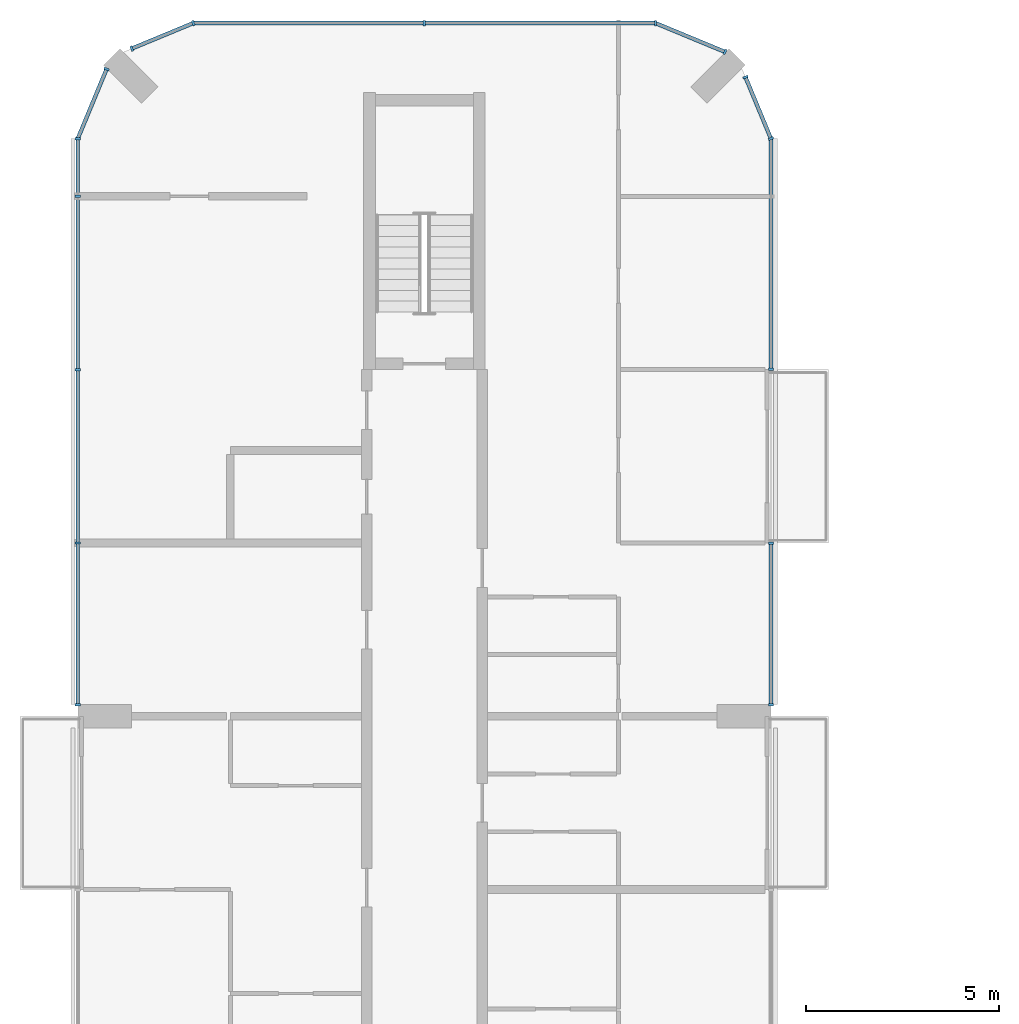
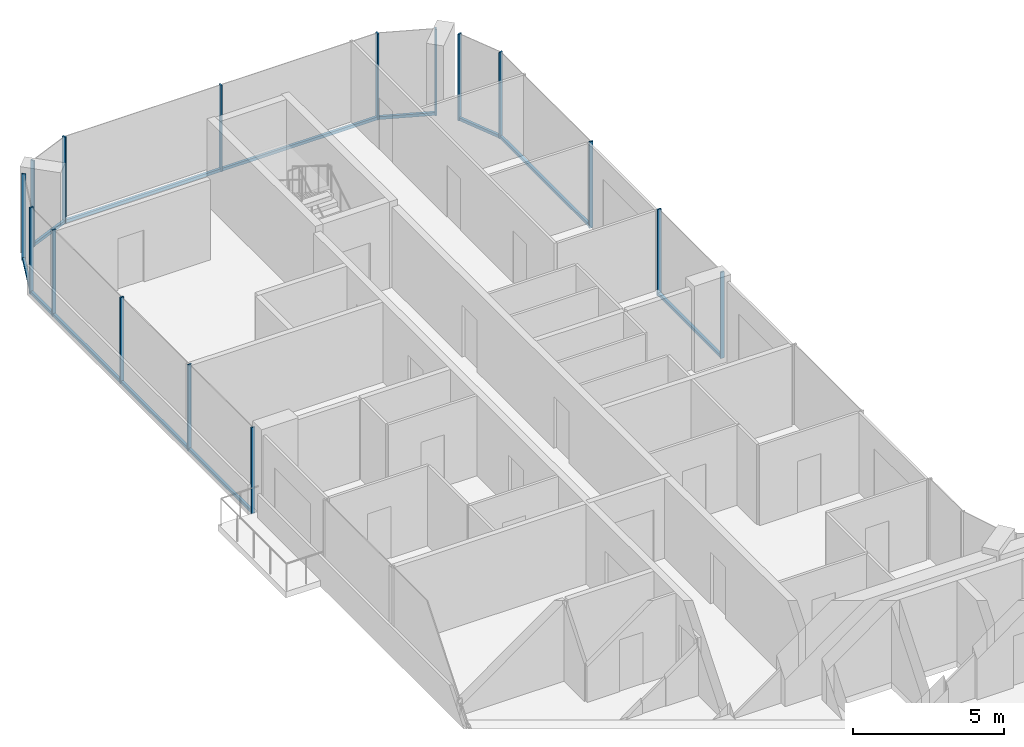
# One storey, part 7 of 15: 24 members, 8 elements without a shape of their own.
"""IFC4 building model written with IfcOpenShell, lengths in metres."""

from ifc_helpers import new_model, si_unit, direction, frame, origin, origin_2d, place, context, subcontext, project, spatial, rectangle, extrude, material, layer, layer_set, material_profile, profile_set, type_object, element, aggregate, save


model = new_model("IFC4")

# Units and contexts
model_context = context("Model", 3, precision=1e-05, world=origin(), true_north=direction((0.0, 1.0)))
body_context = subcontext(model_context, "Body", "Model", "MODEL_VIEW")
ifc_project = project(units=[si_unit("LENGTHUNIT", "METRE"), si_unit("AREAUNIT", "SQUARE_METRE"), si_unit("VOLUMEUNIT", "CUBIC_METRE"), si_unit("PLANEANGLEUNIT", "RADIAN"), si_unit("MASSUNIT", "GRAM", prefix="KILO")], contexts=[model_context])

# Site, building, storey
site_placement = place(None, origin())
site = spatial("IfcSite", under=ifc_project, at=site_placement, CompositionType="ELEMENT")
building_placement = place(site_placement, origin())
building = spatial("IfcBuilding", under=site, at=building_placement, Name="Plateau Cross Towers", CompositionType="ELEMENT")
storey_placement = place(building_placement, frame((0.0, 0.0, 208.39990234375)))
storey = spatial("IfcBuildingStorey", under=building, at=storey_placement, Name="L54", CompositionType="ELEMENT", Elevation=208.39990234375)

# Curtain wall, members
ifc_material_1 = material(Name="Dark low-iron glass", Category="glass")
ifc_layer = layer(ifc_material_1, 0.239990234375)
ifc_layer_set = layer_set([ifc_layer], Name="Dark low-iron glass")
curtain_wall_type = type_object("IfcCurtainWallType", Name="Curtain wall flush unitised CW-B", PredefinedType="NOTDEFINED", material=ifc_layer_set)
curtain_wall_1_placement = place(storey_placement, origin())
curtain_wall_1 = element("IfcCurtainWall", 1, at=curtain_wall_1_placement, inside=storey, type_object=curtain_wall_type, Name="ENV/A/L54/A180_363", PredefinedType="NOTDEFINED")
ifc_material_2 = material(Name="Black anodised aluminium", Category="aluminium")
ifc_material_profile_1 = material_profile(ifc_material_2, rectangle(XDim=0.06005859375, YDim=0.139892578125, at=origin_2d()), Name="MULLION 60x140")
ifc_profile_set_1 = profile_set([ifc_material_profile_1], Name="Black anodised aluminium")
member_type_1 = type_object("IfcMemberType", Name="Mullion 60x140 flush unitised", PredefinedType="MULLION", material=ifc_profile_set_1)
member_1_placement = place(storey_placement, frame((18.0, 36.300048828125, -0.25), z_axis=(0.0, 0.0, 1.0), x_axis=(0.0, 1.0, 0.0)))
member_1 = element("IfcMember", 2, at=member_1_placement, type_object=member_type_1, Name="CW-B mullion 1", PredefinedType="MULLION", context=body_context, shape_type="SweptSolid", body=[
    extrude(rectangle(XDim=0.06005859375, YDim=0.139892578125, at=origin_2d()), origin(), (0.0, 0.0, 1.0), 3.5),
])
member_2_placement = place(storey_placement, frame((18.0, 40.489990234375, -0.25), z_axis=(0.0, 0.0, 1.0), x_axis=(0.0, 1.0, 0.0)))
member_2 = element("IfcMember", 3, at=member_2_placement, type_object=member_type_1, Name="CW-B mullion 2", PredefinedType="MULLION", context=body_context, shape_type="SweptSolid", body=[
    extrude(rectangle(XDim=0.06005859375, YDim=0.139892578125, at=origin_2d()), origin(), (0.0, 0.0, 1.0), 3.5),
])

# Curtain wall, member
curtain_wall_2_placement = place(storey_placement, origin())
curtain_wall_2 = element("IfcCurtainWall", 4, at=curtain_wall_2_placement, inside=storey, type_object=curtain_wall_type, Name="ENV/A/L54/A180_450", PredefinedType="NOTDEFINED")
member_3_placement = place(storey_placement, frame((18.0, 45.010009765625, -0.25), z_axis=(0.0, 0.0, 1.0), x_axis=(0.0, 1.0, 0.0)))
member_3 = element("IfcMember", 5, at=member_3_placement, type_object=member_type_1, Name="CW-B mullion 1", PredefinedType="MULLION", context=body_context, shape_type="SweptSolid", body=[
    extrude(rectangle(XDim=0.06005859375, YDim=0.139892578125, at=origin_2d()), origin(), (0.0, 0.0, 1.0), 3.5),
])

# Curtain wall, members
curtain_wall_3_placement = place(storey_placement, origin())
curtain_wall_3 = element("IfcCurtainWall", 6, at=curtain_wall_3_placement, inside=storey, type_object=curtain_wall_type, Name="ENV/A/L54/A180_510", PredefinedType="NOTDEFINED")
member_4_placement = place(storey_placement, frame((18.0, 51.0, -0.25), z_axis=(0.0, 0.0, 1.0), x_axis=(-0.382683612978, 0.923879457699, 0.0)))
member_4 = element("IfcMember", 7, at=member_4_placement, type_object=member_type_1, Name="CW-B mullion 1", PredefinedType="MULLION", context=body_context, shape_type="SweptSolid", body=[
    extrude(rectangle(XDim=0.06005859375, YDim=0.139892578125, at=origin_2d()), origin(), (0.0, 0.0, 1.0), 3.5),
])
member_5_placement = place(storey_placement, frame((17.338623046875, 52.5966796875, -0.25), z_axis=(0.0, 0.0, 1.0), x_axis=(-0.382683612978, 0.923879457699, 0.0)))
member_5 = element("IfcMember", 8, at=member_5_placement, type_object=member_type_1, Name="CW-B mullion 2", PredefinedType="MULLION", context=body_context, shape_type="SweptSolid", body=[
    extrude(rectangle(XDim=0.06005859375, YDim=0.139892578125, at=origin_2d()), origin(), (0.0, 0.0, 1.0), 3.5),
])

# Curtain wall, member
curtain_wall_4_placement = place(storey_placement, origin())
curtain_wall_4 = element("IfcCurtainWall", 9, at=curtain_wall_4_placement, inside=storey, type_object=curtain_wall_type, Name="ENV/A/L54/A168_533", PredefinedType="NOTDEFINED")
member_6_placement = place(storey_placement, frame((16.805908203125, 53.251953125, -0.25), z_axis=(0.0, 0.0, 1.0), x_axis=(-0.923879457699, 0.382683612978, 0.0)))
member_6 = element("IfcMember", 10, at=member_6_placement, type_object=member_type_1, Name="CW-B mullion 1", PredefinedType="MULLION", context=body_context, shape_type="SweptSolid", body=[
    extrude(rectangle(XDim=0.06005859375, YDim=0.139892578125, at=origin_2d()), origin(), (0.0, 0.0, 1.0), 3.5),
])

# Curtain wall, members
curtain_wall_5_placement = place(storey_placement, origin())
curtain_wall_5 = element("IfcCurtainWall", 11, at=curtain_wall_5_placement, inside=storey, type_object=curtain_wall_type, Name="ENV/A/L54/A150_540", PredefinedType="NOTDEFINED")
member_7_placement = place(storey_placement, frame((15.0, 54.0, -0.25), z_axis=(0.0, 0.0, 1.0), x_axis=(-1.0, 0.0, 0.0)))
member_7 = element("IfcMember", 12, at=member_7_placement, type_object=member_type_1, Name="CW-B mullion 1", PredefinedType="MULLION", context=body_context, shape_type="SweptSolid", body=[
    extrude(rectangle(XDim=0.06005859375, YDim=0.139892578125, at=origin_2d()), origin(), (0.0, 0.0, 1.0), 3.5),
])
member_8_placement = place(storey_placement, frame((9.0, 54.0, -0.25), z_axis=(0.0, 0.0, 1.0), x_axis=(-1.0, 0.0, 0.0)))
member_8 = element("IfcMember", 13, at=member_8_placement, type_object=member_type_1, Name="CW-B mullion 2", PredefinedType="MULLION", context=body_context, shape_type="SweptSolid", body=[
    extrude(rectangle(XDim=0.06005859375, YDim=0.139892578125, at=origin_2d()), origin(), (0.0, 0.0, 1.0), 3.5),
])

curtain_wall_6_placement = place(storey_placement, origin())
curtain_wall_6 = element("IfcCurtainWall", 14, at=curtain_wall_6_placement, inside=storey, type_object=curtain_wall_type, Name="ENV/A/L54/A30_540", PredefinedType="NOTDEFINED")
member_9_placement = place(storey_placement, frame((3.0, 54.0, -0.25), z_axis=(0.0, 0.0, 1.0), x_axis=(-0.923879457699, -0.382683612978, 0.0)))
member_9 = element("IfcMember", 15, at=member_9_placement, type_object=member_type_1, Name="CW-B mullion 1", PredefinedType="MULLION", context=body_context, shape_type="SweptSolid", body=[
    extrude(rectangle(XDim=0.06005859375, YDim=0.139892578125, at=origin_2d()), origin(), (0.0, 0.0, 1.0), 3.5),
])
member_10_placement = place(storey_placement, frame((1.4033203125, 53.338623046875, -0.25), z_axis=(0.0, 0.0, 1.0), x_axis=(-0.923879457699, -0.382683612978, 0.0)))
member_10 = element("IfcMember", 16, at=member_10_placement, type_object=member_type_1, Name="CW-B mullion 2", PredefinedType="MULLION", context=body_context, shape_type="SweptSolid", body=[
    extrude(rectangle(XDim=0.06005859375, YDim=0.139892578125, at=origin_2d()), origin(), (0.0, 0.0, 1.0), 3.5),
])

# Curtain wall, member
curtain_wall_7_placement = place(storey_placement, origin())
curtain_wall_7 = element("IfcCurtainWall", 17, at=curtain_wall_7_placement, inside=storey, type_object=curtain_wall_type, Name="ENV/A/L54/A7_528", PredefinedType="NOTDEFINED")
member_11_placement = place(storey_placement, frame((0.748046875, 52.805908203125, -0.25), z_axis=(0.0, 0.0, 1.0), x_axis=(-0.382683612978, -0.923879457699, 0.0)))
member_11 = element("IfcMember", 18, at=member_11_placement, type_object=member_type_1, Name="CW-B mullion 1", PredefinedType="MULLION", context=body_context, shape_type="SweptSolid", body=[
    extrude(rectangle(XDim=0.06005859375, YDim=0.139892578125, at=origin_2d()), origin(), (0.0, 0.0, 1.0), 3.5),
])

# Curtain wall, members
curtain_wall_8_placement = place(storey_placement, origin())
curtain_wall_8 = element("IfcCurtainWall", 19, at=curtain_wall_8_placement, inside=storey, type_object=curtain_wall_type, Name="ENV/A/L54/A0_510", PredefinedType="NOTDEFINED")
member_12_placement = place(storey_placement, frame((0.0, 51.0, -0.25), z_axis=(0.0, 0.0, 1.0), x_axis=(0.0, -1.0, 0.0)))
member_12 = element("IfcMember", 20, at=member_12_placement, type_object=member_type_1, Name="CW-B mullion 1", PredefinedType="MULLION", context=body_context, shape_type="SweptSolid", body=[
    extrude(rectangle(XDim=0.06005859375, YDim=0.139892578125, at=origin_2d()), origin(), (0.0, 0.0, 1.0), 3.5),
])
member_13_placement = place(storey_placement, frame((0.0, 49.5, -0.25), z_axis=(0.0, 0.0, 1.0), x_axis=(0.0, -1.0, 0.0)))
member_13 = element("IfcMember", 21, at=member_13_placement, type_object=member_type_1, Name="CW-B mullion 2", PredefinedType="MULLION", context=body_context, shape_type="SweptSolid", body=[
    extrude(rectangle(XDim=0.06005859375, YDim=0.139892578125, at=origin_2d()), origin(), (0.0, 0.0, 1.0), 3.5),
])
member_14_placement = place(storey_placement, frame((0.0, 45.0, -0.25), z_axis=(0.0, 0.0, 1.0), x_axis=(0.0, -1.0, 0.0)))
member_14 = element("IfcMember", 22, at=member_14_placement, type_object=member_type_1, Name="CW-B mullion 3", PredefinedType="MULLION", context=body_context, shape_type="SweptSolid", body=[
    extrude(rectangle(XDim=0.06005859375, YDim=0.139892578125, at=origin_2d()), origin(), (0.0, 0.0, 1.0), 3.5),
])
member_15_placement = place(storey_placement, frame((0.0, 40.5, -0.25), z_axis=(0.0, 0.0, 1.0), x_axis=(0.0, -1.0, 0.0)))
member_15 = element("IfcMember", 23, at=member_15_placement, type_object=member_type_1, Name="CW-B mullion 4", PredefinedType="MULLION", context=body_context, shape_type="SweptSolid", body=[
    extrude(rectangle(XDim=0.06005859375, YDim=0.139892578125, at=origin_2d()), origin(), (0.0, 0.0, 1.0), 3.5),
])
member_16_placement = place(storey_placement, frame((0.0, 36.300048828125, -0.25), z_axis=(0.0, 0.0, 1.0), x_axis=(0.0, -1.0, 0.0)))
member_16 = element("IfcMember", 24, at=member_16_placement, type_object=member_type_1, Name="CW-B mullion 5", PredefinedType="MULLION", context=body_context, shape_type="SweptSolid", body=[
    extrude(rectangle(XDim=0.06005859375, YDim=0.139892578125, at=origin_2d()), origin(), (0.0, 0.0, 1.0), 3.5),
])

# Member
ifc_material_profile_2 = material_profile(ifc_material_2, rectangle(XDim=0.10009765625, YDim=0.1201171875, at=origin_2d()), Name="TRANSOM 100x120")
ifc_profile_set_2 = profile_set([ifc_material_profile_2], Name="Black anodised aluminium")
member_type_2 = type_object("IfcMemberType", Name="Transom 100x120 flush unitised", PredefinedType="USERDEFINED", material=ifc_profile_set_2)
member_17_placement = place(storey_placement, frame((18.0, 36.300048828125, -0.18994140625), z_axis=(0.0, 1.0, 0.0), x_axis=(-1.0, 0.0, 0.0)))
member_17 = element("IfcMember", 25, at=member_17_placement, type_object=member_type_2, Name="CW-B transom", ObjectType="TRANSOM", PredefinedType="USERDEFINED", context=body_context, shape_type="SweptSolid", body=[
    extrude(rectangle(XDim=0.10009765625, YDim=0.1201171875, at=origin_2d()), origin(), (0.0, 0.0, 1.0), 4.18994140625),
])

aggregate(curtain_wall_1, [member_1, member_2, member_17])

member_18_placement = place(storey_placement, frame((18.0, 45.010009765625, -0.18994140625), z_axis=(0.0, 1.0, 0.0), x_axis=(-1.0, 0.0, 0.0)))
member_18 = element("IfcMember", 26, at=member_18_placement, type_object=member_type_2, Name="CW-B transom", ObjectType="TRANSOM", PredefinedType="USERDEFINED", context=body_context, shape_type="SweptSolid", body=[
    extrude(rectangle(XDim=0.10009765625, YDim=0.1201171875, at=origin_2d()), origin(), (0.0, 0.0, 1.0), 5.989990234375),
])

aggregate(curtain_wall_2, [member_3, member_18])

member_19_placement = place(storey_placement, frame((18.0, 51.0, -0.18994140625), z_axis=(-0.382688653628, 0.923877369776, 0.0), x_axis=(-0.923877369776, -0.382688653628, 0.0)))
member_19 = element("IfcMember", 27, at=member_19_placement, type_object=member_type_2, Name="CW-B transom", ObjectType="TRANSOM", PredefinedType="USERDEFINED", context=body_context, shape_type="SweptSolid", body=[
    extrude(rectangle(XDim=0.10009765625, YDim=0.1201171875, at=origin_2d()), origin(), (0.0, 0.0, 1.0), 1.728271484375),
])

aggregate(curtain_wall_3, [member_4, member_5, member_19])

member_20_placement = place(storey_placement, frame((16.805908203125, 53.251953125, -0.18994140625), z_axis=(-0.92387678234, 0.382690071798, 0.0), x_axis=(-0.382690071798, -0.92387678234, 0.0)))
member_20 = element("IfcMember", 28, at=member_20_placement, type_object=member_type_2, Name="CW-B transom", ObjectType="TRANSOM", PredefinedType="USERDEFINED", context=body_context, shape_type="SweptSolid", body=[
    extrude(rectangle(XDim=0.10009765625, YDim=0.1201171875, at=origin_2d()), origin(), (0.0, 0.0, 1.0), 1.95458984375),
])

aggregate(curtain_wall_4, [member_6, member_20])

member_21_placement = place(storey_placement, frame((15.0, 54.0, -0.18994140625), z_axis=(-1.0, 0.0, 0.0), x_axis=(0.0, -1.0, 0.0)))
member_21 = element("IfcMember", 29, at=member_21_placement, type_object=member_type_2, Name="CW-B transom", ObjectType="TRANSOM", PredefinedType="USERDEFINED", context=body_context, shape_type="SweptSolid", body=[
    extrude(rectangle(XDim=0.10009765625, YDim=0.1201171875, at=origin_2d()), origin(), (0.0, 0.0, 1.0), 12.0),
])

aggregate(curtain_wall_5, [member_7, member_8, member_21])

member_22_placement = place(storey_placement, frame((3.0, 54.0, -0.18994140625), z_axis=(-0.923877369776, -0.382688653628, 0.0), x_axis=(0.382688653628, -0.923877369776, 0.0)))
member_22 = element("IfcMember", 30, at=member_22_placement, type_object=member_type_2, Name="CW-B transom", ObjectType="TRANSOM", PredefinedType="USERDEFINED", context=body_context, shape_type="SweptSolid", body=[
    extrude(rectangle(XDim=0.10009765625, YDim=0.1201171875, at=origin_2d()), origin(), (0.0, 0.0, 1.0), 1.728271484375),
])

aggregate(curtain_wall_6, [member_9, member_10, member_22])

member_23_placement = place(storey_placement, frame((0.748046875, 52.805908203125, -0.18994140625), z_axis=(-0.382690071798, -0.92387678234, 0.0), x_axis=(0.92387678234, -0.382690071798, 0.0)))
member_23 = element("IfcMember", 31, at=member_23_placement, type_object=member_type_2, Name="CW-B transom", ObjectType="TRANSOM", PredefinedType="USERDEFINED", context=body_context, shape_type="SweptSolid", body=[
    extrude(rectangle(XDim=0.10009765625, YDim=0.1201171875, at=origin_2d()), origin(), (0.0, 0.0, 1.0), 1.95458984375),
])

aggregate(curtain_wall_7, [member_11, member_23])

member_24_placement = place(storey_placement, frame((0.0, 51.0, -0.18994140625), z_axis=(0.0, -1.0, 0.0), x_axis=(1.0, 0.0, 0.0)))
member_24 = element("IfcMember", 32, at=member_24_placement, type_object=member_type_2, Name="CW-B transom", ObjectType="TRANSOM", PredefinedType="USERDEFINED", context=body_context, shape_type="SweptSolid", body=[
    extrude(rectangle(XDim=0.10009765625, YDim=0.1201171875, at=origin_2d()), origin(), (0.0, 0.0, 1.0), 14.699951171875),
])

aggregate(curtain_wall_8, [member_12, member_13, member_14, member_15, member_16, member_24])

save(model, "model.ifc")
